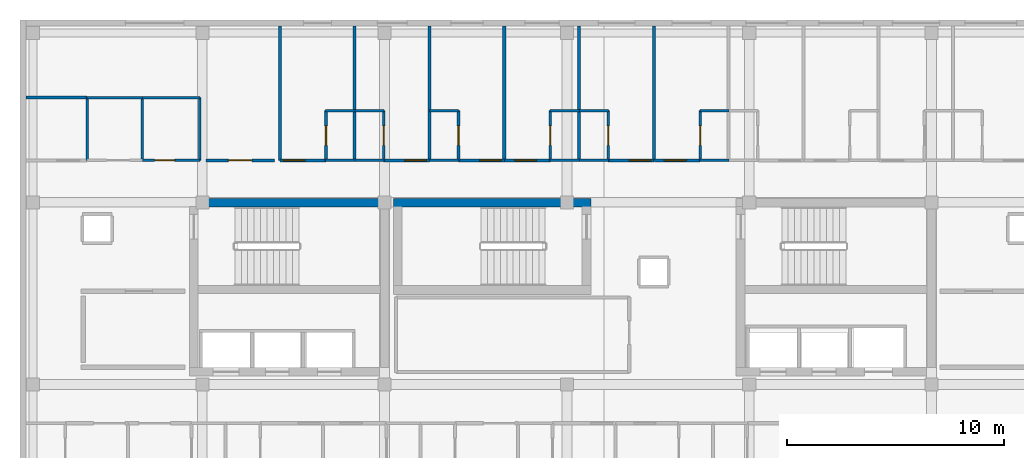
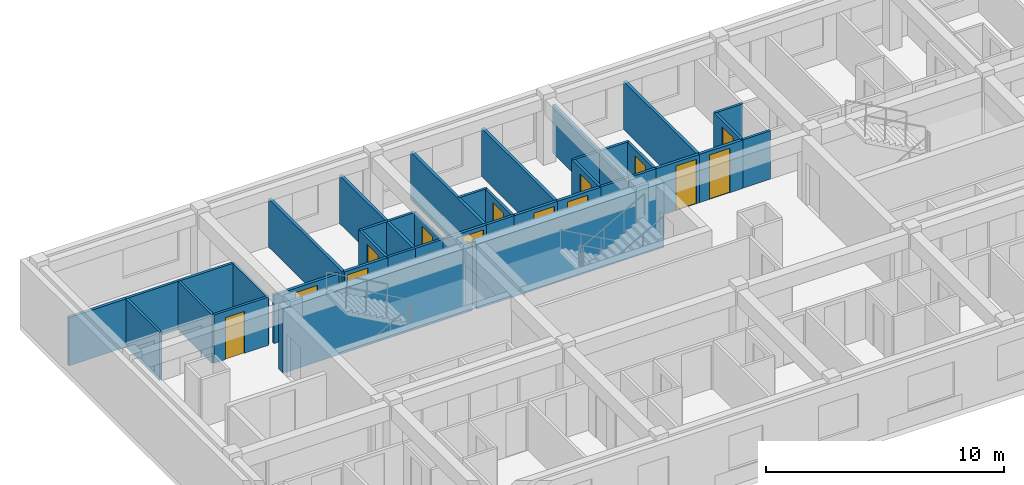
# One storey, part 4 of 9: 40 walls, 14 doors, 14 openings.
"""IFC4 building model written with IfcOpenShell, lengths in metres."""

from ifc_helpers import new_model, si_unit, direction, frame, frame_2d, origin, place, context, subcontext, project, spatial, rectangle, extrude, material, layer, layer_set, type_object, element, fill, save


model = new_model("IFC4")

# Units and contexts
model_context = context("Model", 3, precision=1e-05, world=origin(), true_north=direction((0.0, 1.0)))
body_context = subcontext(model_context, "Body", "Model", "MODEL_VIEW")
ifc_project = project(units=[si_unit("LENGTHUNIT", "METRE"), si_unit("AREAUNIT", "SQUARE_METRE"), si_unit("VOLUMEUNIT", "CUBIC_METRE"), si_unit("PLANEANGLEUNIT", "RADIAN"), si_unit("MASSUNIT", "GRAM", prefix="KILO")], contexts=[model_context])

# Site, building, storey
site_placement = place(None, origin())
site = spatial("IfcSite", under=ifc_project, at=site_placement, CompositionType="ELEMENT")
building_placement = place(site_placement, origin())
building = spatial("IfcBuilding", under=site, at=building_placement, Name="Zayran Congress Hotel", CompositionType="ELEMENT")
storey_placement = place(building_placement, frame((0.0, 0.0, 40.800048828125)))
storey = spatial("IfcBuildingStorey", under=building, at=storey_placement, Name="L10", CompositionType="ELEMENT", Elevation=40.800048828125)

# Walls
ifc_material_1 = material(Name="Concrete C40/50", Category="concrete")
ifc_layer_1 = layer(ifc_material_1, 0.39990234375)
ifc_layer_set_1 = layer_set([ifc_layer_1], Name="Concrete C40/50")
wall_type_1 = type_object("IfcWallType", Name="WL-SH-400", PredefinedType="SHEAR", material=ifc_layer_set_1)
wall_1_placement = place(storey_placement, frame((33.800048828125, 25.5849609375, 0.0), z_axis=(0.0, 0.0, 1.0), x_axis=(-1.0, 0.0, 0.0)))
element("IfcWall", 1, at=wall_1_placement, inside=storey, type_object=wall_type_1, Name="CWALL-C-V5W-L10-N", PredefinedType="SHEAR", context=body_context, shape_type="SweptSolid", body=[
    extrude(rectangle(XDim=9.199951171875, YDim=0.39990234375, at=frame_2d((4.60009765625, 0.0))), origin(), (0.0, 0.0, 1.0), 3.320068359375),
])
wall_2_placement = place(storey_placement, frame((43.10009765625, 25.5849609375, 0.0), z_axis=(0.0, 0.0, 1.0), x_axis=(-1.0, 0.0, 0.0)))
element("IfcWall", 2, at=wall_2_placement, inside=storey, type_object=wall_type_1, Name="CWALL-C-V5M-L10-N", PredefinedType="SHEAR", context=body_context, shape_type="SweptSolid", body=[
    extrude(rectangle(XDim=9.10009765625, YDim=0.39990234375, at=frame_2d((4.550048828125, 0.0))), origin(), (0.0, 0.0, 1.0), 3.320068359375),
])

# Wall, opening, door
ifc_material_2 = material(Name="Hospitality guestroom acoustic partition", Category="gypsum")
ifc_layer_2 = layer(ifc_material_2, 0.139892578125)
ifc_layer_set_2 = layer_set([ifc_layer_2], Name="Hospitality guestroom acoustic partition")
wall_type_2 = type_object("IfcWallType", Name="WL-PT-140", PredefinedType="PARTITIONING", material=ifc_layer_set_2)
wall_3_placement = place(storey_placement, frame((25.360107421875, 27.530029296875, 0.0), z_axis=(0.0, 0.0, 1.0), x_axis=(1.0, 0.0, 0.0)))
wall_3 = element("IfcWall", 3, at=wall_3_placement, inside=storey, type_object=wall_type_2, Name="IW-L10-0825", PredefinedType="PARTITIONING", context=body_context, shape_type="SweptSolid", body=[
    extrude(rectangle(XDim=3.159912109375, YDim=0.139892578125, at=frame_2d((1.580078125, 0.0))), origin(), (0.0, 0.0, 1.0), 2.47998046875),
])
opening_1_placement = place(wall_3_placement, frame((1.0400390625, 0.0, 0.0)))
opening_1 = element("IfcOpeningElement", 4, at=opening_1_placement, cuts=wall_3, Name="Opening DR-MT-01", PredefinedType="OPENING", context=body_context, shape_type="SweptSolid", body=[
    extrude(rectangle(XDim=1.080078125, YDim=2.25, at=frame_2d((0.5400390625, 1.125))), frame((0.0, 0.079833984375, 0.0), z_axis=(0.0, -1.0, 0.0), x_axis=(1.0, 0.0, 0.0)), (0.0, 0.0, 1.0), 0.159912109375),
])
ifc_material_3 = material(Name="Acoustic timber seminar room door", Category="wood")
door_type_1 = type_object("IfcDoorType", Name="TP-DR-MT-01", OperationType="NOTDEFINED", PredefinedType="DOOR", material=ifc_material_3)
door_1_placement = place(opening_1_placement, origin())
door_1 = element("IfcDoor", 5, at=door_1_placement, inside=storey, type_object=door_type_1, Name="East Terrace Sky Salon L10 Door", OperationType="SINGLE_SWING_LEFT", OverallHeight=2.25, OverallWidth=1.080078125, PredefinedType="DOOR", context=body_context, shape_type="SweptSolid", body=[
    extrude(rectangle(XDim=1.080078125, YDim=2.25, at=frame_2d((0.5400390625, 1.125))), frame((0.0, 0.02490234375, 0.0), z_axis=(0.0, -1.0, 0.0), x_axis=(1.0, 0.0, 0.0)), (0.0, 0.0, 1.0), 0.050048828125),
])
fill(opening_1, door_1)

wall_4_placement = place(storey_placement, frame((28.7900390625, 27.530029296875, 0.0), z_axis=(0.0, 0.0, 1.0), x_axis=(1.0, 0.0, 0.0)))
wall_4 = element("IfcWall", 6, at=wall_4_placement, inside=storey, type_object=wall_type_2, Name="IW-L10-0826", PredefinedType="PARTITIONING", context=body_context, shape_type="SweptSolid", body=[
    extrude(rectangle(XDim=2.10693359375, YDim=0.139892578125, at=frame_2d((1.053466796875, 0.0))), origin(), (0.0, 0.0, 1.0), 2.47998046875),
])
opening_2_placement = place(wall_4_placement, frame((0.139892578125, 0.0, 0.0)))
opening_2 = element("IfcOpeningElement", 7, at=opening_2_placement, cuts=wall_4, Name="Opening DR-GR-04", PredefinedType="OPENING", context=body_context, shape_type="SweptSolid", body=[
    extrude(rectangle(XDim=1.0, YDim=2.280029296875, at=frame_2d((0.5, 1.14013671875))), frame((0.0, 0.079833984375, 0.0), z_axis=(0.0, -1.0, 0.0), x_axis=(1.0, 0.0, 0.0)), (0.0, 0.0, 1.0), 0.159912109375),
])
ifc_material_4 = material(Name="Diplomatic walnut veneer entry door", Category="wood")
door_type_2 = type_object("IfcDoorType", Name="TP-DR-GR-04", OperationType="NOTDEFINED", PredefinedType="DOOR", material=ifc_material_4)
door_2_placement = place(opening_2_placement, origin())
door_2 = element("IfcDoor", 8, at=door_2_placement, inside=storey, type_object=door_type_2, Name="Guest Room L10-12 Door", OperationType="SINGLE_SWING_RIGHT", OverallHeight=2.280029296875, OverallWidth=1.0, PredefinedType="DOOR", context=body_context, shape_type="SweptSolid", body=[
    extrude(rectangle(XDim=1.0, YDim=2.280029296875, at=frame_2d((0.5, 1.14013671875))), frame((0.0, 0.02490234375, 0.0), z_axis=(0.0, -1.0, 0.0), x_axis=(1.0, 0.0, 0.0)), (0.0, 0.0, 1.0), 0.050048828125),
])
fill(opening_2, door_2)

wall_5_placement = place(storey_placement, frame((33.556884765625, 27.530029296875, 0.0), z_axis=(0.0, 0.0, 1.0), x_axis=(1.0, 0.0, 0.0)))
wall_5 = element("IfcWall", 9, at=wall_5_placement, inside=storey, type_object=wall_type_2, Name="IW-L10-0827", PredefinedType="PARTITIONING", context=body_context, shape_type="SweptSolid", body=[
    extrude(rectangle(XDim=2.108154296875, YDim=0.139892578125, at=frame_2d((1.05419921875, 0.0))), origin(), (0.0, 0.0, 1.0), 2.47998046875),
])
opening_3_placement = place(wall_5_placement, frame((0.968017578125, 0.0, 0.0)))
opening_3 = element("IfcOpeningElement", 10, at=opening_3_placement, cuts=wall_5, Name="Opening DR-GR-04", PredefinedType="OPENING", context=body_context, shape_type="SweptSolid", body=[
    extrude(rectangle(XDim=1.0, YDim=2.280029296875, at=frame_2d((0.5, 1.14013671875))), frame((0.0, 0.079833984375, 0.0), z_axis=(0.0, -1.0, 0.0), x_axis=(1.0, 0.0, 0.0)), (0.0, 0.0, 1.0), 0.159912109375),
])
door_3_placement = place(opening_3_placement, origin())
door_3 = element("IfcDoor", 11, at=door_3_placement, inside=storey, type_object=door_type_2, Name="Guest Room L10-13 Door", OperationType="SINGLE_SWING_LEFT", OverallHeight=2.280029296875, OverallWidth=1.0, PredefinedType="DOOR", context=body_context, shape_type="SweptSolid", body=[
    extrude(rectangle(XDim=1.0, YDim=2.280029296875, at=frame_2d((0.5, 1.14013671875))), frame((0.0, 0.02490234375, 0.0), z_axis=(0.0, -1.0, 0.0), x_axis=(1.0, 0.0, 0.0)), (0.0, 0.0, 1.0), 0.050048828125),
])
fill(opening_3, door_3)

wall_6_placement = place(storey_placement, frame((37.0048828125, 27.530029296875, 0.0), z_axis=(0.0, 0.0, 1.0), x_axis=(1.0, 0.0, 0.0)))
wall_6 = element("IfcWall", 12, at=wall_6_placement, inside=storey, type_object=wall_type_2, Name="IW-L10-0828", PredefinedType="PARTITIONING", context=body_context, shape_type="SweptSolid", body=[
    extrude(rectangle(XDim=2.107177734375, YDim=0.139892578125, at=frame_2d((1.0537109375, 0.0))), origin(), (0.0, 0.0, 1.0), 2.47998046875),
])
opening_4_placement = place(wall_6_placement, frame((0.967041015625, 0.0, 0.0)))
opening_4 = element("IfcOpeningElement", 13, at=opening_4_placement, cuts=wall_6, Name="Opening DR-GR-04", PredefinedType="OPENING", context=body_context, shape_type="SweptSolid", body=[
    extrude(rectangle(XDim=1.0, YDim=2.280029296875, at=frame_2d((0.5, 1.14013671875))), frame((0.0, 0.079833984375, 0.0), z_axis=(0.0, -1.0, 0.0), x_axis=(1.0, 0.0, 0.0)), (0.0, 0.0, 1.0), 0.159912109375),
])
door_4_placement = place(opening_4_placement, origin())
door_4 = element("IfcDoor", 14, at=door_4_placement, inside=storey, type_object=door_type_2, Name="Guest Room L10-14 Door", OperationType="SINGLE_SWING_RIGHT", OverallHeight=2.280029296875, OverallWidth=1.0, PredefinedType="DOOR", context=body_context, shape_type="SweptSolid", body=[
    extrude(rectangle(XDim=1.0, YDim=2.280029296875, at=frame_2d((0.5, 1.14013671875))), frame((0.0, 0.02490234375, 0.0), z_axis=(0.0, -1.0, 0.0), x_axis=(1.0, 0.0, 0.0)), (0.0, 0.0, 1.0), 0.050048828125),
])
fill(opening_4, door_4)

wall_7_placement = place(storey_placement, frame((39.132080078125, 27.530029296875, 0.0), z_axis=(0.0, 0.0, 1.0), x_axis=(1.0, 0.0, 0.0)))
wall_7 = element("IfcWall", 15, at=wall_7_placement, inside=storey, type_object=wall_type_2, Name="IW-L10-0829", PredefinedType="PARTITIONING", context=body_context, shape_type="SweptSolid", body=[
    extrude(rectangle(XDim=2.10693359375, YDim=0.139892578125, at=frame_2d((1.053466796875, 0.0))), origin(), (0.0, 0.0, 1.0), 2.47998046875),
])
opening_5_placement = place(wall_7_placement, frame((0.465087890625, 0.0, 0.0)))
opening_5 = element("IfcOpeningElement", 16, at=opening_5_placement, cuts=wall_7, Name="Opening DR-GR-04", PredefinedType="OPENING", context=body_context, shape_type="SweptSolid", body=[
    extrude(rectangle(XDim=1.0, YDim=2.280029296875, at=frame_2d((0.5, 1.14013671875))), frame((0.0, 0.079833984375, 0.0), z_axis=(0.0, -1.0, 0.0), x_axis=(1.0, 0.0, 0.0)), (0.0, 0.0, 1.0), 0.159912109375),
])
door_5_placement = place(opening_5_placement, origin())
door_5 = element("IfcDoor", 17, at=door_5_placement, inside=storey, type_object=door_type_2, Name="Guest Room L10-15 Door", OperationType="SINGLE_SWING_LEFT", OverallHeight=2.280029296875, OverallWidth=1.0, PredefinedType="DOOR", context=body_context, shape_type="SweptSolid", body=[
    extrude(rectangle(XDim=1.0, YDim=2.280029296875, at=frame_2d((0.5, 1.14013671875))), frame((0.0, 0.02490234375, 0.0), z_axis=(0.0, -1.0, 0.0), x_axis=(1.0, 0.0, 0.0)), (0.0, 0.0, 1.0), 0.050048828125),
])
fill(opening_5, door_5)

wall_8_placement = place(storey_placement, frame((43.89892578125, 27.530029296875, 0.0), z_axis=(0.0, 0.0, 1.0), x_axis=(1.0, 0.0, 0.0)))
wall_8 = element("IfcWall", 18, at=wall_8_placement, inside=storey, type_object=wall_type_2, Name="IW-L10-0830", PredefinedType="PARTITIONING", context=body_context, shape_type="SweptSolid", body=[
    extrude(rectangle(XDim=2.107177734375, YDim=0.139892578125, at=frame_2d((1.0537109375, 0.0))), origin(), (0.0, 0.0, 1.0), 2.47998046875),
])
opening_6_placement = place(wall_8_placement, frame((0.967041015625, 0.0, 0.0)))
opening_6 = element("IfcOpeningElement", 19, at=opening_6_placement, cuts=wall_8, Name="Opening DR-GR-04", PredefinedType="OPENING", context=body_context, shape_type="SweptSolid", body=[
    extrude(rectangle(XDim=1.0, YDim=2.280029296875, at=frame_2d((0.5, 1.14013671875))), frame((0.0, 0.079833984375, 0.0), z_axis=(0.0, -1.0, 0.0), x_axis=(1.0, 0.0, 0.0)), (0.0, 0.0, 1.0), 0.159912109375),
])
door_6_placement = place(opening_6_placement, origin())
door_6 = element("IfcDoor", 20, at=door_6_placement, inside=storey, type_object=door_type_2, Name="Guest Room L10-16 Door", OperationType="SINGLE_SWING_RIGHT", OverallHeight=2.280029296875, OverallWidth=1.0, PredefinedType="DOOR", context=body_context, shape_type="SweptSolid", body=[
    extrude(rectangle(XDim=1.0, YDim=2.280029296875, at=frame_2d((0.5, 1.14013671875))), frame((0.0, 0.02490234375, 0.0), z_axis=(0.0, -1.0, 0.0), x_axis=(1.0, 0.0, 0.0)), (0.0, 0.0, 1.0), 0.050048828125),
])
fill(opening_6, door_6)

wall_9_placement = place(storey_placement, frame((46.02587890625, 27.530029296875, 0.0), z_axis=(0.0, 0.0, 1.0), x_axis=(1.0, 0.0, 0.0)))
wall_9 = element("IfcWall", 21, at=wall_9_placement, inside=storey, type_object=wall_type_2, Name="IW-L10-0831", PredefinedType="PARTITIONING", context=body_context, shape_type="SweptSolid", body=[
    extrude(rectangle(XDim=2.108154296875, YDim=0.139892578125, at=frame_2d((1.05419921875, 0.0))), origin(), (0.0, 0.0, 1.0), 2.47998046875),
])
opening_7_placement = place(wall_9_placement, frame((0.465087890625, 0.0, 0.0)))
opening_7 = element("IfcOpeningElement", 22, at=opening_7_placement, cuts=wall_9, Name="Opening DR-GR-04", PredefinedType="OPENING", context=body_context, shape_type="SweptSolid", body=[
    extrude(rectangle(XDim=1.0, YDim=2.280029296875, at=frame_2d((0.5, 1.14013671875))), frame((0.0, 0.079833984375, 0.0), z_axis=(0.0, -1.0, 0.0), x_axis=(1.0, 0.0, 0.0)), (0.0, 0.0, 1.0), 0.159912109375),
])
door_7_placement = place(opening_7_placement, origin())
door_7 = element("IfcDoor", 23, at=door_7_placement, inside=storey, type_object=door_type_2, Name="Guest Room L10-17 Door", OperationType="SINGLE_SWING_LEFT", OverallHeight=2.280029296875, OverallWidth=1.0, PredefinedType="DOOR", context=body_context, shape_type="SweptSolid", body=[
    extrude(rectangle(XDim=1.0, YDim=2.280029296875, at=frame_2d((0.5, 1.14013671875))), frame((0.0, 0.02490234375, 0.0), z_axis=(0.0, -1.0, 0.0), x_axis=(1.0, 0.0, 0.0)), (0.0, 0.0, 1.0), 0.050048828125),
])
fill(opening_7, door_7)

# Walls
wall_10_placement = place(storey_placement, frame((17.080078125, 30.419921875, 0.0), z_axis=(0.0, 0.0, 1.0), x_axis=(1.0, 0.0, 0.0)))
element("IfcWall", 24, at=wall_10_placement, inside=storey, type_object=wall_type_2, Name="IW-L10-2159", PredefinedType="PARTITIONING", context=body_context, shape_type="SweptSolid", body=[
    extrude(rectangle(XDim=2.7998046875, YDim=0.139892578125, at=frame_2d((1.39990234375, 0.0))), origin(), (0.0, 0.0, 1.0), 2.47998046875),
])
for number, where, z_axis, x_axis, name in (
    (25, (28.77001953125, 27.52001953125, 0.0), (0.0, 0.0, 1.0), (0.0, 1.0, 0.0), "IW-L10-2160"),
    (26, (32.217041015625, 27.52001953125, 0.0), (0.0, 0.0, 1.0), (0.0, 1.0, 0.0), "IW-L10-2161"),
    (27, (35.6650390625, 27.52001953125, 0.0), (0.0, 0.0, 1.0), (0.0, 1.0, 0.0), "IW-L10-2162"),
    (28, (39.112060546875, 27.52001953125, 0.0), (0.0, 0.0, 1.0), (0.0, 1.0, 0.0), "IW-L10-2163"),
    (29, (42.55908203125, 27.52001953125, 0.0), (0.0, 0.0, 1.0), (0.0, 1.0, 0.0), "IW-L10-2164"),
    (30, (46.006103515625, 27.52001953125, 0.0), (0.0, 0.0, 1.0), (0.0, 1.0, 0.0), "IW-L10-2165"),
):
    element("IfcWall", number, at=place(storey_placement, frame(where, z_axis=z_axis, x_axis=x_axis)), inside=storey, type_object=wall_type_2, Name=name, PredefinedType="PARTITIONING", context=body_context, shape_type="SweptSolid", body=[
        extrude(rectangle(XDim=6.199951171875, YDim=0.139892578125, at=frame_2d((3.10009765625, 0.0))), origin(), (0.0, 0.0, 1.0), 2.47998046875),
    ])

# Wall, opening, door
ifc_material_5 = material(Name="Moisture-resistant bathroom partition", Category="gypsum")
ifc_layer_3 = layer(ifc_material_5, 0.1201171875)
ifc_layer_set_3 = layer_set([ifc_layer_3], Name="Moisture-resistant bathroom partition")
wall_type_3 = type_object("IfcWallType", Name="WL-PT-120", PredefinedType="PARTITIONING", material=ifc_layer_set_3)
wall_11_placement = place(storey_placement, frame((30.89697265625, 27.52001953125, 0.0), z_axis=(0.0, 0.0, 1.0), x_axis=(0.0, 1.0, 0.0)))
wall_11 = element("IfcWall", 31, at=wall_11_placement, inside=storey, type_object=wall_type_3, Name="IW-L10-0306", PredefinedType="PARTITIONING", context=body_context, shape_type="SweptSolid", body=[
    extrude(rectangle(XDim=2.31005859375, YDim=0.1201171875, at=frame_2d((1.155029296875, 0.0))), origin(), (0.0, 0.0, 1.0), 2.47998046875),
])
opening_8_placement = place(wall_11_placement, frame((0.705078125, 0.0, 0.0)))
opening_8 = element("IfcOpeningElement", 32, at=opening_8_placement, cuts=wall_11, Name="Opening DR-BT-03", PredefinedType="OPENING", context=body_context, shape_type="SweptSolid", body=[
    extrude(rectangle(XDim=0.89990234375, YDim=2.179931640625, at=frame_2d((0.449951171875, 1.08984375))), frame((0.0, 0.070068359375, 0.0), z_axis=(0.0, -1.0, 0.0), x_axis=(1.0, 0.0, 0.0)), (0.0, 0.0, 1.0), 0.14013671875),
])
ifc_material_6 = material(Name="Suite oak en-suite bathroom door", Category="wood")
door_type_3 = type_object("IfcDoorType", Name="TP-DR-BT-03", OperationType="NOTDEFINED", PredefinedType="DOOR", material=ifc_material_6)
door_8_placement = place(opening_8_placement, origin())
door_8 = element("IfcDoor", 33, at=door_8_placement, inside=storey, type_object=door_type_3, Name="En-Suite Bathroom L10-12 Door", OperationType="SINGLE_SWING_LEFT", OverallHeight=2.179931640625, OverallWidth=0.89990234375, PredefinedType="DOOR", context=body_context, shape_type="SweptSolid", body=[
    extrude(rectangle(XDim=0.89990234375, YDim=2.179931640625, at=frame_2d((0.449951171875, 1.08984375))), frame((0.0, 0.02490234375, 0.0), z_axis=(0.0, -1.0, 0.0), x_axis=(1.0, 0.0, 0.0)), (0.0, 0.0, 1.0), 0.050048828125),
])
fill(opening_8, door_8)

wall_12_placement = place(storey_placement, frame((33.556884765625, 27.52001953125, 0.0), z_axis=(0.0, 0.0, 1.0), x_axis=(0.0, 1.0, 0.0)))
wall_12 = element("IfcWall", 34, at=wall_12_placement, inside=storey, type_object=wall_type_3, Name="IW-L10-0307", PredefinedType="PARTITIONING", context=body_context, shape_type="SweptSolid", body=[
    extrude(rectangle(XDim=2.31005859375, YDim=0.1201171875, at=frame_2d((1.155029296875, 0.0))), origin(), (0.0, 0.0, 1.0), 2.47998046875),
])
opening_9_placement = place(wall_12_placement, frame((0.705078125, 0.0, 0.0)))
opening_9 = element("IfcOpeningElement", 35, at=opening_9_placement, cuts=wall_12, Name="Opening DR-BT-03", PredefinedType="OPENING", context=body_context, shape_type="SweptSolid", body=[
    extrude(rectangle(XDim=0.89990234375, YDim=2.179931640625, at=frame_2d((0.449951171875, 1.08984375))), frame((0.0, 0.070068359375, 0.0), z_axis=(0.0, -1.0, 0.0), x_axis=(1.0, 0.0, 0.0)), (0.0, 0.0, 1.0), 0.14013671875),
])
door_9_placement = place(opening_9_placement, origin())
door_9 = element("IfcDoor", 36, at=door_9_placement, inside=storey, type_object=door_type_3, Name="En-Suite Bathroom L10-13 Door", OperationType="SINGLE_SWING_RIGHT", OverallHeight=2.179931640625, OverallWidth=0.89990234375, PredefinedType="DOOR", context=body_context, shape_type="SweptSolid", body=[
    extrude(rectangle(XDim=0.89990234375, YDim=2.179931640625, at=frame_2d((0.449951171875, 1.08984375))), frame((0.0, 0.02490234375, 0.0), z_axis=(0.0, -1.0, 0.0), x_axis=(1.0, 0.0, 0.0)), (0.0, 0.0, 1.0), 0.050048828125),
])
fill(opening_9, door_9)

wall_13_placement = place(storey_placement, frame((37.0048828125, 27.52001953125, 0.0), z_axis=(0.0, 0.0, 1.0), x_axis=(0.0, 1.0, 0.0)))
wall_13 = element("IfcWall", 37, at=wall_13_placement, inside=storey, type_object=wall_type_3, Name="IW-L10-0308", PredefinedType="PARTITIONING", context=body_context, shape_type="SweptSolid", body=[
    extrude(rectangle(XDim=2.31005859375, YDim=0.1201171875, at=frame_2d((1.155029296875, 0.0))), origin(), (0.0, 0.0, 1.0), 2.47998046875),
])
opening_10_placement = place(wall_13_placement, frame((0.705078125, 0.0, 0.0)))
opening_10 = element("IfcOpeningElement", 38, at=opening_10_placement, cuts=wall_13, Name="Opening DR-BT-03", PredefinedType="OPENING", context=body_context, shape_type="SweptSolid", body=[
    extrude(rectangle(XDim=0.89990234375, YDim=2.179931640625, at=frame_2d((0.449951171875, 1.08984375))), frame((0.0, 0.070068359375, 0.0), z_axis=(0.0, -1.0, 0.0), x_axis=(1.0, 0.0, 0.0)), (0.0, 0.0, 1.0), 0.14013671875),
])
door_10_placement = place(opening_10_placement, origin())
door_10 = element("IfcDoor", 39, at=door_10_placement, inside=storey, type_object=door_type_3, Name="En-Suite Bathroom L10-14 Door", OperationType="SINGLE_SWING_LEFT", OverallHeight=2.179931640625, OverallWidth=0.89990234375, PredefinedType="DOOR", context=body_context, shape_type="SweptSolid", body=[
    extrude(rectangle(XDim=0.89990234375, YDim=2.179931640625, at=frame_2d((0.449951171875, 1.08984375))), frame((0.0, 0.02490234375, 0.0), z_axis=(0.0, -1.0, 0.0), x_axis=(1.0, 0.0, 0.0)), (0.0, 0.0, 1.0), 0.050048828125),
])
fill(opening_10, door_10)

wall_14_placement = place(storey_placement, frame((41.239013671875, 27.52001953125, 0.0), z_axis=(0.0, 0.0, 1.0), x_axis=(0.0, 1.0, 0.0)))
wall_14 = element("IfcWall", 40, at=wall_14_placement, inside=storey, type_object=wall_type_3, Name="IW-L10-0309", PredefinedType="PARTITIONING", context=body_context, shape_type="SweptSolid", body=[
    extrude(rectangle(XDim=2.31005859375, YDim=0.1201171875, at=frame_2d((1.155029296875, 0.0))), origin(), (0.0, 0.0, 1.0), 2.47998046875),
])
opening_11_placement = place(wall_14_placement, frame((0.705078125, 0.0, 0.0)))
opening_11 = element("IfcOpeningElement", 41, at=opening_11_placement, cuts=wall_14, Name="Opening DR-BT-03", PredefinedType="OPENING", context=body_context, shape_type="SweptSolid", body=[
    extrude(rectangle(XDim=0.89990234375, YDim=2.179931640625, at=frame_2d((0.449951171875, 1.08984375))), frame((0.0, 0.070068359375, 0.0), z_axis=(0.0, -1.0, 0.0), x_axis=(1.0, 0.0, 0.0)), (0.0, 0.0, 1.0), 0.14013671875),
])
door_11_placement = place(opening_11_placement, origin())
door_11 = element("IfcDoor", 42, at=door_11_placement, inside=storey, type_object=door_type_3, Name="En-Suite Bathroom L10-15 Door", OperationType="SINGLE_SWING_RIGHT", OverallHeight=2.179931640625, OverallWidth=0.89990234375, PredefinedType="DOOR", context=body_context, shape_type="SweptSolid", body=[
    extrude(rectangle(XDim=0.89990234375, YDim=2.179931640625, at=frame_2d((0.449951171875, 1.08984375))), frame((0.0, 0.02490234375, 0.0), z_axis=(0.0, -1.0, 0.0), x_axis=(1.0, 0.0, 0.0)), (0.0, 0.0, 1.0), 0.050048828125),
])
fill(opening_11, door_11)

wall_15_placement = place(storey_placement, frame((43.89892578125, 27.52001953125, 0.0), z_axis=(0.0, 0.0, 1.0), x_axis=(0.0, 1.0, 0.0)))
wall_15 = element("IfcWall", 43, at=wall_15_placement, inside=storey, type_object=wall_type_3, Name="IW-L10-0310", PredefinedType="PARTITIONING", context=body_context, shape_type="SweptSolid", body=[
    extrude(rectangle(XDim=2.31005859375, YDim=0.1201171875, at=frame_2d((1.155029296875, 0.0))), origin(), (0.0, 0.0, 1.0), 2.47998046875),
])
opening_12_placement = place(wall_15_placement, frame((0.705078125, 0.0, 0.0)))
opening_12 = element("IfcOpeningElement", 44, at=opening_12_placement, cuts=wall_15, Name="Opening DR-BT-03", PredefinedType="OPENING", context=body_context, shape_type="SweptSolid", body=[
    extrude(rectangle(XDim=0.89990234375, YDim=2.179931640625, at=frame_2d((0.449951171875, 1.08984375))), frame((0.0, 0.070068359375, 0.0), z_axis=(0.0, -1.0, 0.0), x_axis=(1.0, 0.0, 0.0)), (0.0, 0.0, 1.0), 0.14013671875),
])
door_12_placement = place(opening_12_placement, origin())
door_12 = element("IfcDoor", 45, at=door_12_placement, inside=storey, type_object=door_type_3, Name="En-Suite Bathroom L10-16 Door", OperationType="SINGLE_SWING_LEFT", OverallHeight=2.179931640625, OverallWidth=0.89990234375, PredefinedType="DOOR", context=body_context, shape_type="SweptSolid", body=[
    extrude(rectangle(XDim=0.89990234375, YDim=2.179931640625, at=frame_2d((0.449951171875, 1.08984375))), frame((0.0, 0.02490234375, 0.0), z_axis=(0.0, -1.0, 0.0), x_axis=(1.0, 0.0, 0.0)), (0.0, 0.0, 1.0), 0.050048828125),
])
fill(opening_12, door_12)

wall_16_placement = place(storey_placement, frame((48.134033203125, 27.52001953125, 0.0), z_axis=(0.0, 0.0, 1.0), x_axis=(0.0, 1.0, 0.0)))
wall_16 = element("IfcWall", 46, at=wall_16_placement, inside=storey, type_object=wall_type_3, Name="IW-L10-0311", PredefinedType="PARTITIONING", context=body_context, shape_type="SweptSolid", body=[
    extrude(rectangle(XDim=2.31005859375, YDim=0.1201171875, at=frame_2d((1.155029296875, 0.0))), origin(), (0.0, 0.0, 1.0), 2.47998046875),
])
opening_13_placement = place(wall_16_placement, frame((0.705078125, 0.0, 0.0)))
opening_13 = element("IfcOpeningElement", 47, at=opening_13_placement, cuts=wall_16, Name="Opening DR-BT-03", PredefinedType="OPENING", context=body_context, shape_type="SweptSolid", body=[
    extrude(rectangle(XDim=0.89990234375, YDim=2.179931640625, at=frame_2d((0.449951171875, 1.08984375))), frame((0.0, 0.070068359375, 0.0), z_axis=(0.0, -1.0, 0.0), x_axis=(1.0, 0.0, 0.0)), (0.0, 0.0, 1.0), 0.14013671875),
])
door_13_placement = place(opening_13_placement, origin())
door_13 = element("IfcDoor", 48, at=door_13_placement, inside=storey, type_object=door_type_3, Name="En-Suite Bathroom L10-17 Door", OperationType="SINGLE_SWING_RIGHT", OverallHeight=2.179931640625, OverallWidth=0.89990234375, PredefinedType="DOOR", context=body_context, shape_type="SweptSolid", body=[
    extrude(rectangle(XDim=0.89990234375, YDim=2.179931640625, at=frame_2d((0.449951171875, 1.08984375))), frame((0.0, 0.02490234375, 0.0), z_axis=(0.0, -1.0, 0.0), x_axis=(1.0, 0.0, 0.0)), (0.0, 0.0, 1.0), 0.050048828125),
])
fill(opening_13, door_13)

wall_17_placement = place(storey_placement, frame((22.43994140625, 27.530029296875, 0.0), z_axis=(0.0, 0.0, 1.0), x_axis=(1.0, 0.0, 0.0)))
wall_17 = element("IfcWall", 49, at=wall_17_placement, inside=storey, type_object=wall_type_3, Name="IW-L10-0376", PredefinedType="PARTITIONING", context=body_context, shape_type="SweptSolid", body=[
    extrude(rectangle(XDim=2.66015625, YDim=0.1201171875, at=frame_2d((1.330078125, 0.0))), origin(), (0.0, 0.0, 1.0), 2.47998046875),
])
opening_14_placement = place(wall_17_placement, frame((0.56103515625, 0.0, 0.0)))
opening_14 = element("IfcOpeningElement", 50, at=opening_14_placement, cuts=wall_17, Name="Opening DR-WC-01", PredefinedType="OPENING", context=body_context, shape_type="SweptSolid", body=[
    extrude(rectangle(XDim=0.919921875, YDim=2.14990234375, at=frame_2d((0.4599609375, 1.074951171875))), frame((0.0, 0.070068359375, 0.0), z_axis=(0.0, -1.0, 0.0), x_axis=(1.0, 0.0, 0.0)), (0.0, 0.0, 1.0), 0.14013671875),
])
ifc_material_7 = material(Name="Laminated timber public washroom door", Category="wood")
door_type_4 = type_object("IfcDoorType", Name="TP-DR-WC-01", OperationType="NOTDEFINED", PredefinedType="DOOR", material=ifc_material_7)
door_14_placement = place(opening_14_placement, origin())
door_14 = element("IfcDoor", 51, at=door_14_placement, inside=storey, type_object=door_type_4, Name="Public WC L10 Door", OperationType="SINGLE_SWING_LEFT", OverallHeight=2.14990234375, OverallWidth=0.919921875, PredefinedType="DOOR", context=body_context, shape_type="SweptSolid", body=[
    extrude(rectangle(XDim=0.919921875, YDim=2.14990234375, at=frame_2d((0.4599609375, 1.074951171875))), frame((0.0, 0.02490234375, 0.0), z_axis=(0.0, -1.0, 0.0), x_axis=(1.0, 0.0, 0.0)), (0.0, 0.0, 1.0), 0.050048828125),
])
fill(opening_14, door_14)

# Walls
for number, where, z_axis, x_axis, name in (
    (52, (30.886962890625, 27.530029296875, 0.0), (0.0, 0.0, 1.0), (1.0, 0.0, 0.0), "IW-L10-1479"),
    (53, (30.886962890625, 29.820068359375, 0.0), (0.0, 0.0, 1.0), (1.0, 0.0, 0.0), "IW-L10-1480"),
):
    element("IfcWall", number, at=place(storey_placement, frame(where, z_axis=z_axis, x_axis=x_axis)), inside=storey, type_object=wall_type_3, Name=name, PredefinedType="PARTITIONING", context=body_context, shape_type="SweptSolid", body=[
        extrude(rectangle(XDim=1.340087890625, YDim=0.1201171875, at=frame_2d((0.669921875, 0.0))), origin(), (0.0, 0.0, 1.0), 2.47998046875),
    ])
for number, where, z_axis, x_axis, name in (
    (54, (32.22705078125, 27.530029296875, 0.0), (0.0, 0.0, 1.0), (1.0, 0.0, 0.0), "IW-L10-1481"),
    (55, (32.22705078125, 29.820068359375, 0.0), (0.0, 0.0, 1.0), (1.0, 0.0, 0.0), "IW-L10-1482"),
    (56, (35.675048828125, 27.530029296875, 0.0), (0.0, 0.0, 1.0), (1.0, 0.0, 0.0), "IW-L10-1483"),
    (57, (35.675048828125, 29.820068359375, 0.0), (0.0, 0.0, 1.0), (1.0, 0.0, 0.0), "IW-L10-1484"),
):
    element("IfcWall", number, at=place(storey_placement, frame(where, z_axis=z_axis, x_axis=x_axis)), inside=storey, type_object=wall_type_3, Name=name, PredefinedType="PARTITIONING", context=body_context, shape_type="SweptSolid", body=[
        extrude(rectangle(XDim=1.33984375, YDim=0.1201171875, at=frame_2d((0.669921875, 0.0))), origin(), (0.0, 0.0, 1.0), 2.47998046875),
    ])
for number, where, z_axis, x_axis, name in (
    (58, (41.22900390625, 27.530029296875, 0.0), (0.0, 0.0, 1.0), (1.0, 0.0, 0.0), "IW-L10-1485"),
    (59, (41.22900390625, 29.820068359375, 0.0), (0.0, 0.0, 1.0), (1.0, 0.0, 0.0), "IW-L10-1486"),
):
    element("IfcWall", number, at=place(storey_placement, frame(where, z_axis=z_axis, x_axis=x_axis)), inside=storey, type_object=wall_type_3, Name=name, PredefinedType="PARTITIONING", context=body_context, shape_type="SweptSolid", body=[
        extrude(rectangle(XDim=1.340087890625, YDim=0.1201171875, at=frame_2d((0.669921875, 0.0))), origin(), (0.0, 0.0, 1.0), 2.47998046875),
    ])
for number, where, z_axis, x_axis, name in (
    (60, (42.569091796875, 27.530029296875, 0.0), (0.0, 0.0, 1.0), (1.0, 0.0, 0.0), "IW-L10-1487"),
    (61, (42.569091796875, 29.820068359375, 0.0), (0.0, 0.0, 1.0), (1.0, 0.0, 0.0), "IW-L10-1488"),
):
    element("IfcWall", number, at=place(storey_placement, frame(where, z_axis=z_axis, x_axis=x_axis)), inside=storey, type_object=wall_type_3, Name=name, PredefinedType="PARTITIONING", context=body_context, shape_type="SweptSolid", body=[
        extrude(rectangle(XDim=1.33984375, YDim=0.1201171875, at=frame_2d((0.669921875, 0.0))), origin(), (0.0, 0.0, 1.0), 2.47998046875),
    ])
for number, where, z_axis, x_axis, name in (
    (62, (48.1240234375, 27.530029296875, 0.0), (0.0, 0.0, 1.0), (1.0, 0.0, 0.0), "IW-L10-1489"),
    (63, (48.1240234375, 29.820068359375, 0.0), (0.0, 0.0, 1.0), (1.0, 0.0, 0.0), "IW-L10-1490"),
):
    element("IfcWall", number, at=place(storey_placement, frame(where, z_axis=z_axis, x_axis=x_axis)), inside=storey, type_object=wall_type_3, Name=name, PredefinedType="PARTITIONING", context=body_context, shape_type="SweptSolid", body=[
        extrude(rectangle(XDim=1.340087890625, YDim=0.1201171875, at=frame_2d((0.669921875, 0.0))), origin(), (0.0, 0.0, 1.0), 2.47998046875),
    ])
wall_18_placement = place(storey_placement, frame((19.8798828125, 30.419921875, 0.0), z_axis=(0.0, 0.0, 1.0), x_axis=(1.0, 0.0, 0.0)))
element("IfcWall", 64, at=wall_18_placement, inside=storey, type_object=wall_type_3, Name="IW-L10-1622", PredefinedType="PARTITIONING", context=body_context, shape_type="SweptSolid", body=[
    extrude(rectangle(XDim=2.56005859375, YDim=0.1201171875, at=frame_2d((1.280029296875, 0.0))), origin(), (0.0, 0.0, 1.0), 2.47998046875),
])
for number, where, z_axis, x_axis, name in (
    (65, (19.889892578125, 27.52001953125, 0.0), (0.0, 0.0, 1.0), (0.0, 1.0, 0.0), "IW-L10-1623"),
    (66, (22.429931640625, 27.52001953125, 0.0), (0.0, 0.0, 1.0), (0.0, 1.0, 0.0), "IW-L10-1624"),
):
    element("IfcWall", number, at=place(storey_placement, frame(where, z_axis=z_axis, x_axis=x_axis)), inside=storey, type_object=wall_type_3, Name=name, PredefinedType="PARTITIONING", context=body_context, shape_type="SweptSolid", body=[
        extrude(rectangle(XDim=2.909912109375, YDim=0.1201171875, at=frame_2d((1.455078125, 0.0))), origin(), (0.0, 0.0, 1.0), 2.47998046875),
    ])
wall_19_placement = place(storey_placement, frame((22.43994140625, 30.419921875, 0.0), z_axis=(0.0, 0.0, 1.0), x_axis=(1.0, 0.0, 0.0)))
element("IfcWall", 67, at=wall_19_placement, inside=storey, type_object=wall_type_3, Name="IW-L10-1625", PredefinedType="PARTITIONING", context=body_context, shape_type="SweptSolid", body=[
    extrude(rectangle(XDim=2.66015625, YDim=0.1201171875, at=frame_2d((1.330078125, 0.0))), origin(), (0.0, 0.0, 1.0), 2.47998046875),
])
wall_20_placement = place(storey_placement, frame((25.090087890625, 27.52001953125, 0.0), z_axis=(0.0, 0.0, 1.0), x_axis=(0.0, 1.0, 0.0)))
element("IfcWall", 68, at=wall_20_placement, inside=storey, type_object=wall_type_3, Name="IW-L10-1626", PredefinedType="PARTITIONING", context=body_context, shape_type="SweptSolid", body=[
    extrude(rectangle(XDim=2.909912109375, YDim=0.1201171875, at=frame_2d((1.455078125, 0.0))), origin(), (0.0, 0.0, 1.0), 2.47998046875),
])

save(model, "model.ifc")
